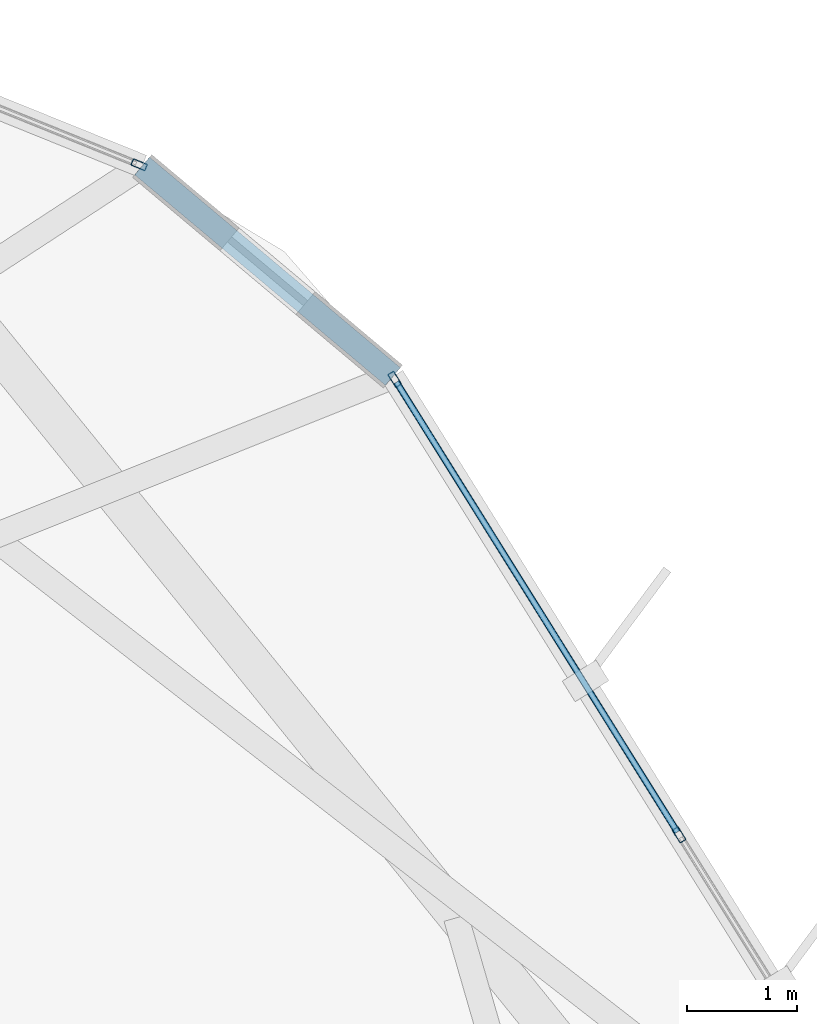
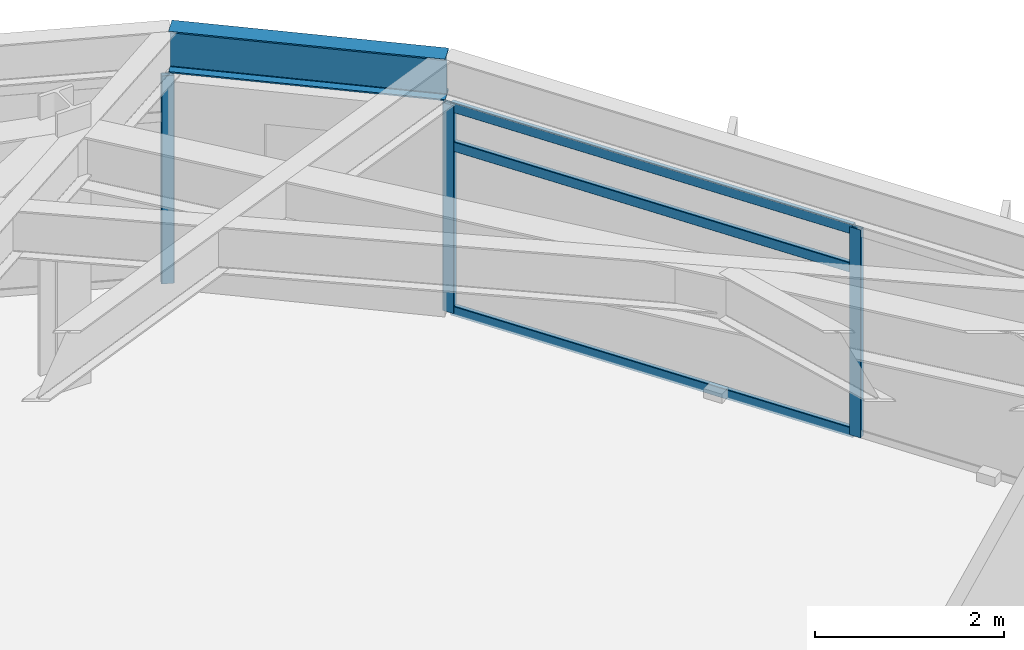
# One storey, part 16 of 23: 6 members, 1 beam, 2 elements without a shape of their own.
"""IFC4 building model written with IfcOpenShell, lengths in metres."""

from ifc_helpers import new_model, si_unit, direction, frame, origin, origin_2d, place, context, subcontext, project, spatial, hollow_rectangle, i_section, extrude, material, layer, layer_set, material_profile, profile_set, type_object, element, aggregate, save


model = new_model("IFC4")

# Units and contexts
model_context = context("Model", 3, precision=1e-05, world=origin(), true_north=direction((0.0, 1.0)))
body_context = subcontext(model_context, "Body", "Model", "MODEL_VIEW")
ifc_project = project(units=[si_unit("LENGTHUNIT", "METRE"), si_unit("AREAUNIT", "SQUARE_METRE"), si_unit("VOLUMEUNIT", "CUBIC_METRE"), si_unit("PLANEANGLEUNIT", "RADIAN"), si_unit("MASSUNIT", "GRAM", prefix="KILO")], contexts=[model_context])

# Site, building, storey
site_placement = place(None, origin())
site = spatial("IfcSite", under=ifc_project, at=site_placement, CompositionType="ELEMENT")
building_placement = place(site_placement, origin())
building = spatial("IfcBuilding", under=site, at=building_placement, Name="Soratama Intermodal Tower", CompositionType="ELEMENT")
storey_placement = place(building_placement, frame((0.0, 0.0, 215.800048828125)))
storey = spatial("IfcBuildingStorey", under=building, at=storey_placement, Name="L54", CompositionType="ELEMENT", Elevation=215.800048828125)

# Beam
ifc_material_1 = material(Name="Structural steel ASTM A992 Grade 50", Category="steel")
ifc_material_profile_1 = material_profile(ifc_material_1, i_section(OverallWidth=0.2099609375, OverallDepth=0.537109375, WebThickness=0.010986328125, FlangeThickness=0.017333984375, FilletRadius=0.012939453125, at=origin_2d()), Name="W21X68")
ifc_profile_set_1 = profile_set([ifc_material_profile_1], Name="Structural steel ASTM A992 Grade 50")
beam_type = type_object("IfcBeamType", Name="BM-SPN-W21X68", PredefinedType="SPANDREL", material=ifc_profile_set_1)
beam_placement = place(storey_placement, frame((59.258056640625, 39.674072265625, 3.031494140625), z_axis=(-0.76594964584, 0.642900567769, 0.0), x_axis=(-0.642900567769, -0.76594964584, 0.0)))
element("IfcBeam", 1, at=beam_placement, inside=storey, type_object=beam_type, Name="BS-L54-CRN10", PredefinedType="SPANDREL", context=body_context, shape_type="SweptSolid", body=[
    extrude(i_section(OverallWidth=0.2099609375, OverallDepth=0.537109375, WebThickness=0.010986328125, FlangeThickness=0.017333984375, FilletRadius=0.012939453125, at=origin_2d()), origin(), (0.0, 0.0, 1.0), 2.96630859375),
])

# Curtain wall, member
ifc_material_2 = material(Name="Double-glazed aluminium curtain wall", Category="aluminium")
ifc_layer = layer(ifc_material_2, 0.159912109375)
ifc_layer_set = layer_set([ifc_layer], Name="Double-glazed aluminium curtain wall")
curtain_wall_type = type_object("IfcCurtainWallType", Name="CW-SYS-5", PredefinedType="NOTDEFINED", material=ifc_layer_set)
curtain_wall_1_placement = place(storey_placement, origin())
curtain_wall_1 = element("IfcCurtainWall", 2, at=curtain_wall_1_placement, inside=storey, type_object=curtain_wall_type, Name="L54 Faceted Curtain Wall F01", PredefinedType="NOTDEFINED")
ifc_material_3 = material(Name="Anodised aluminium AA 6063-T6", Category="aluminium")
ifc_material_profile_2 = material_profile(ifc_material_3, hollow_rectangle(XDim=0.06494140625, YDim=0.139892578125, WallThickness=0.0048828125, InnerFilletRadius=0.0048828125, OuterFilletRadius=0.010009765625, at=origin_2d()), Name="CWM140X65X5")
ifc_profile_set_2 = profile_set([ifc_material_profile_2], Name="Anodised aluminium AA 6063-T6")
member_type_1 = type_object("IfcMemberType", Name="MT-CWM-5", PredefinedType="MULLION", material=ifc_profile_set_2)
member_1_placement = place(storey_placement, frame((56.958740234375, 41.592529296875, 0.0), z_axis=(0.0, 0.0, 1.0), x_axis=(-0.374934682302, -0.927051230519, 0.0)))
member_1 = element("IfcMember", 3, at=member_1_placement, type_object=member_type_1, Name="CW-5 mullion 1", PredefinedType="MULLION", context=body_context, shape_type="SweptSolid", body=[
    extrude(hollow_rectangle(XDim=0.06494140625, YDim=0.139892578125, WallThickness=0.0048828125, InnerFilletRadius=0.0048828125, OuterFilletRadius=0.010009765625, at=origin_2d()), origin(), (0.0, 0.0, 1.0), 2.678955078125),
])
aggregate(curtain_wall_1, [member_1])

# Curtain wall, members
curtain_wall_2_placement = place(storey_placement, origin())
curtain_wall_2 = element("IfcCurtainWall", 4, at=curtain_wall_2_placement, inside=storey, type_object=curtain_wall_type, Name="L54 Faceted Curtain Wall F10", PredefinedType="NOTDEFINED")
member_2_placement = place(storey_placement, frame((61.850830078125, 35.521484375, 0.0), z_axis=(0.0, 0.0, 1.0), x_axis=(-0.848231192913, -0.529626135466, 0.0)))
member_2 = element("IfcMember", 5, at=member_2_placement, type_object=member_type_1, Name="CW-5 mullion 2", PredefinedType="MULLION", context=body_context, shape_type="SweptSolid", body=[
    extrude(hollow_rectangle(XDim=0.06494140625, YDim=0.139892578125, WallThickness=0.0048828125, InnerFilletRadius=0.0048828125, OuterFilletRadius=0.010009765625, at=origin_2d()), origin(), (0.0, 0.0, 1.0), 2.678955078125),
])
member_3_placement = place(storey_placement, frame((59.274169921875, 39.6484375, 0.0), z_axis=(0.0, 0.0, 1.0), x_axis=(-0.848231192913, -0.529626135466, 0.0)))
member_3 = element("IfcMember", 6, at=member_3_placement, type_object=member_type_1, Name="CW-5 mullion 3", PredefinedType="MULLION", context=body_context, shape_type="SweptSolid", body=[
    extrude(hollow_rectangle(XDim=0.06494140625, YDim=0.139892578125, WallThickness=0.0048828125, InnerFilletRadius=0.0048828125, OuterFilletRadius=0.010009765625, at=origin_2d()), origin(), (0.0, 0.0, 1.0), 2.678955078125),
])
ifc_material_4 = material(Name="Anodised aluminium AA 6063-T6", Category="aluminium")
ifc_material_profile_3 = material_profile(ifc_material_4, hollow_rectangle(XDim=0.06005859375, YDim=0.1298828125, WallThickness=0.0048828125, InnerFilletRadius=0.0048828125, OuterFilletRadius=0.010009765625, at=origin_2d()), Name="CWT130X60X5")
ifc_profile_set_3 = profile_set([ifc_material_profile_3], Name="Anodised aluminium AA 6063-T6")
member_type_2 = type_object("IfcMemberType", Name="TT-CWT-2", PredefinedType="USERDEFINED", material=ifc_profile_set_3)
member_4_placement = place(storey_placement, frame((61.8349609375, 35.546875, 0.030029296875), z_axis=(-0.529619827099, 0.848235131755, 0.0), x_axis=(-0.848235131755, -0.529619827099, 0.0)))
member_4 = element("IfcMember", 7, at=member_4_placement, type_object=member_type_2, Name="CW-5 transom 2.1", ObjectType="TRANSOM", PredefinedType="USERDEFINED", context=body_context, shape_type="SweptSolid", body=[
    extrude(hollow_rectangle(XDim=0.06005859375, YDim=0.1298828125, WallThickness=0.0048828125, InnerFilletRadius=0.0048828125, OuterFilletRadius=0.010009765625, at=origin_2d()), origin(), (0.0, 0.0, 1.0), 4.80517578125),
])
member_5_placement = place(storey_placement, frame((61.8349609375, 35.546875, 2.14990234375), z_axis=(-0.529619827099, 0.848235131755, 0.0), x_axis=(-0.848235131755, -0.529619827099, 0.0)))
member_5 = element("IfcMember", 8, at=member_5_placement, type_object=member_type_2, Name="CW-5 transom 2.2", ObjectType="TRANSOM", PredefinedType="USERDEFINED", context=body_context, shape_type="SweptSolid", body=[
    extrude(hollow_rectangle(XDim=0.06005859375, YDim=0.1298828125, WallThickness=0.0048828125, InnerFilletRadius=0.0048828125, OuterFilletRadius=0.010009765625, at=origin_2d()), origin(), (0.0, 0.0, 1.0), 4.80517578125),
])
member_6_placement = place(storey_placement, frame((61.8349609375, 35.546875, 2.64892578125), z_axis=(-0.529619827099, 0.848235131755, 0.0), x_axis=(-0.848235131755, -0.529619827099, 0.0)))
member_6 = element("IfcMember", 9, at=member_6_placement, type_object=member_type_2, Name="CW-5 transom 2.3", ObjectType="TRANSOM", PredefinedType="USERDEFINED", context=body_context, shape_type="SweptSolid", body=[
    extrude(hollow_rectangle(XDim=0.06005859375, YDim=0.1298828125, WallThickness=0.0048828125, InnerFilletRadius=0.0048828125, OuterFilletRadius=0.010009765625, at=origin_2d()), origin(), (0.0, 0.0, 1.0), 4.80517578125),
])
aggregate(curtain_wall_2, [member_2, member_3, member_4, member_5, member_6])

save(model, "model.ifc")
